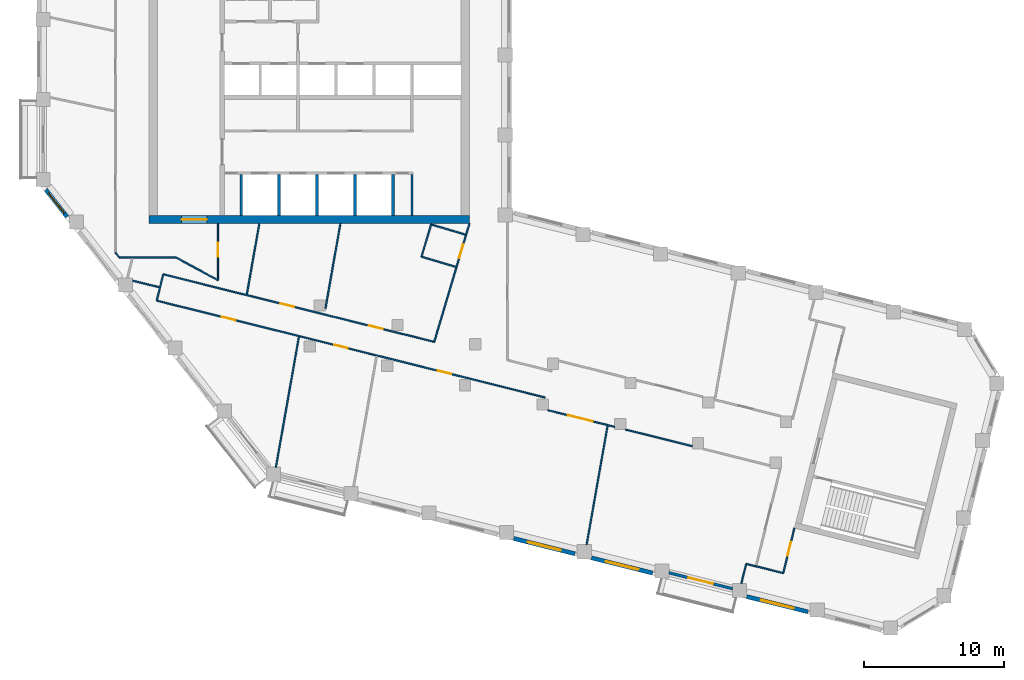
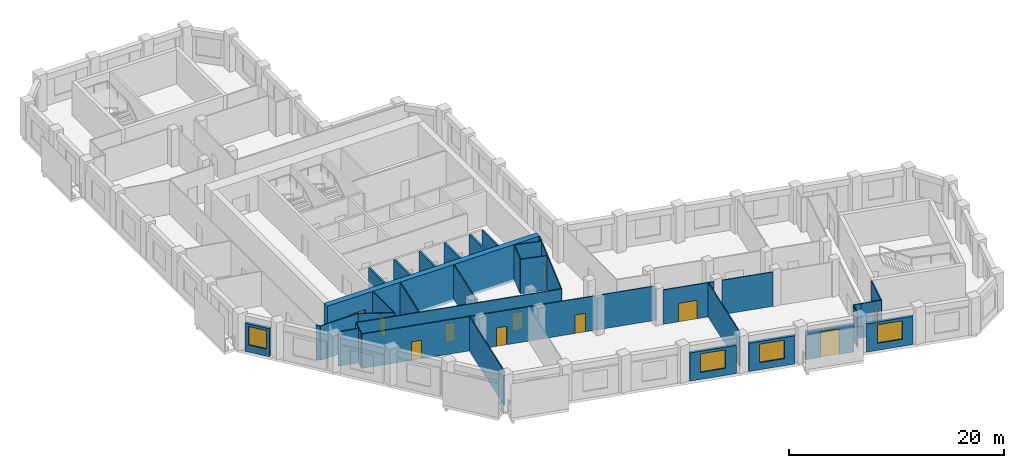
# One storey, part 3 of 9: 34 walls, 11 doors, 4 windows, 15 openings.
"""IFC4 building model written with IfcOpenShell, lengths in metres."""

from ifc_helpers import new_model, si_unit, direction, frame, frame_2d, origin, place, context, subcontext, project, spatial, rectangle, extrude, material, layer, layer_set, type_object, element, fill, save


model = new_model("IFC4")

# Units and contexts
model_context = context("Model", 3, precision=1e-05, world=origin(), true_north=direction((0.0, 1.0)))
body_context = subcontext(model_context, "Body", "Model", "MODEL_VIEW")
ifc_project = project(units=[si_unit("LENGTHUNIT", "METRE"), si_unit("AREAUNIT", "SQUARE_METRE"), si_unit("VOLUMEUNIT", "CUBIC_METRE"), si_unit("PLANEANGLEUNIT", "RADIAN"), si_unit("MASSUNIT", "GRAM", prefix="KILO")], contexts=[model_context])

# Site, building, storey
site_placement = place(None, origin())
site = spatial("IfcSite", under=ifc_project, at=site_placement, CompositionType="ELEMENT")
building_placement = place(site_placement, origin())
building = spatial("IfcBuilding", under=site, at=building_placement, Name="Meshkara Civic Tower", CompositionType="ELEMENT")
storey_placement = place(building_placement, frame((0.0, 0.0, 298.199951171875)))
storey = spatial("IfcBuildingStorey", under=building, at=storey_placement, Name="L68", CompositionType="ELEMENT", Elevation=298.199951171875)

# Wall
ifc_material_1 = material(Name="Blockwork", Category="masonry")
ifc_layer_1 = layer(ifc_material_1, 0.14990234375)
ifc_layer_set_1 = layer_set([ifc_layer_1], Name="Core partition 150")
wall_type_1 = type_object("IfcWallType", Name="Core partition 150", PredefinedType="PARTITIONING", material=ifc_layer_set_1)
wall_1_placement = place(storey_placement, frame((26.699951171875, 14.699951171875, 0.0), z_axis=(0.0, 0.0, 1.0), x_axis=(0.0, 1.0, 0.0)))
element("IfcWall", 1, at=wall_1_placement, inside=storey, type_object=wall_type_1, Name="L68-C024", PredefinedType="PARTITIONING", context=body_context, shape_type="SweptSolid", body=[
    extrude(rectangle(XDim=2.900146484375, YDim=0.14990234375, at=frame_2d((1.4501953125, 0.0))), origin(), (0.0, 0.0, 1.0), 3.900146484375),
])

# Wall, opening, door
ifc_material_2 = material(Name="Concrete C60", Category="concrete")
ifc_layer_2 = layer(ifc_material_2, 0.60009765625)
ifc_layer_set_2 = layer_set([ifc_layer_2], Name="Core ring wall 600 C60")
wall_type_2 = type_object("IfcWallType", Name="Core ring wall 600 C60", PredefinedType="SHEAR", material=ifc_layer_set_2)
wall_2_placement = place(storey_placement, frame((8.0, 14.39990234375, -0.300048828125), z_axis=(0.0, 0.0, 1.0), x_axis=(1.0, 0.0, 0.0)))
wall_2 = element("IfcWall", 2, at=wall_2_placement, inside=storey, type_object=wall_type_2, Name="L68-C001", PredefinedType="SHEAR", context=body_context, shape_type="SweptSolid", body=[
    extrude(rectangle(XDim=22.800048828125, YDim=0.60009765625, at=frame_2d((11.39990234375, 0.0))), origin(), (0.0, 0.0, 1.0), 4.2001953125),
])
opening_1_placement = place(wall_2_placement, frame((2.300048828125, 0.0, 0.300048828125)))
opening_1 = element("IfcOpeningElement", 3, at=opening_1_placement, cuts=wall_2, Name="Opening L68-K021", PredefinedType="OPENING", context=body_context, shape_type="SweptSolid", body=[
    extrude(rectangle(XDim=1.800048828125, YDim=2.10009765625, at=frame_2d((0.89990234375, 1.050048828125))), frame((0.0, 0.31005859375, 0.0), z_axis=(0.0, -1.0, 0.0), x_axis=(1.0, 0.0, 0.0)), (0.0, 0.0, 1.0), 0.6201171875),
])
ifc_material_3 = material(Name="Fire-rated door leaf in steel frame", Category="steel")
door_type_1 = type_object("IfcDoorType", Name="Core double door 1800 EI 60", OperationType="DOUBLE_DOOR_SINGLE_SWING", PredefinedType="DOOR", material=ifc_material_3)
door_1_placement = place(opening_1_placement, origin())
door_1 = element("IfcDoor", 4, at=door_1_placement, inside=storey, type_object=door_type_1, Name="L68-K021", OperationType="DOUBLE_DOOR_SINGLE_SWING", OverallHeight=2.10009765625, OverallWidth=1.800048828125, PredefinedType="DOOR", context=body_context, shape_type="SweptSolid", body=[
    extrude(rectangle(XDim=1.800048828125, YDim=2.10009765625, at=frame_2d((0.89990234375, 1.050048828125))), frame((0.0, 0.02490234375, 0.0), z_axis=(0.0, -1.0, 0.0), x_axis=(1.0, 0.0, 0.0)), (0.0, 0.0, 1.0), 0.050048828125),
])
fill(opening_1, door_1)

# Walls
ifc_material_4 = material(Name="Corridor wall 100")
ifc_layer_3 = layer(ifc_material_4, 0.10009765625)
ifc_layer_set_3 = layer_set([ifc_layer_3], Name="Corridor wall 100")
wall_type_3 = type_object("IfcWallType", Name="Corridor wall 100", PredefinedType="PARTITIONING", material=ifc_layer_set_3)
wall_3_placement = place(storey_placement, frame((5.60009765625, 12.04296875, 0.0), z_axis=(0.0, 0.0, 1.0), x_axis=(0.615415398102, -0.788202948344, 0.0)))
element("IfcWall", 5, at=wall_3_placement, inside=storey, type_object=wall_type_3, Name="L68-W004", PredefinedType="PARTITIONING", context=body_context, shape_type="SweptSolid", body=[
    extrude(rectangle(XDim=0.435302734375, YDim=0.10009765625, at=frame_2d((0.2177734375, 0.0))), origin(), (0.0, 0.0, 1.0), 3.900146484375),
])
wall_4_placement = place(storey_placement, frame((5.867919921875, 11.699951171875, 0.0), z_axis=(0.0, 0.0, 1.0), x_axis=(1.0, 0.0, 0.0)))
element("IfcWall", 6, at=wall_4_placement, inside=storey, type_object=wall_type_3, Name="L68-W006", PredefinedType="PARTITIONING", context=body_context, shape_type="SweptSolid", body=[
    extrude(rectangle(XDim=4.031982421875, YDim=0.10009765625, at=frame_2d((2.01611328125, 0.0))), origin(), (0.0, 0.0, 1.0), 3.900146484375),
])

# Wall, openings, doors
wall_5_placement = place(storey_placement, frame((8.534912109375, 8.6259765625, 0.0), z_axis=(0.0, 0.0, 1.0), x_axis=(0.970294986727, -0.241924861749, 0.0)))
wall_5 = element("IfcWall", 7, at=wall_5_placement, inside=storey, type_object=wall_type_3, Name="L68-W007", PredefinedType="PARTITIONING", context=body_context, shape_type="SweptSolid", body=[
    extrude(rectangle(XDim=28.500732421875, YDim=0.10009765625, at=frame_2d((14.25048828125, 0.0))), origin(), (0.0, 0.0, 1.0), 3.900146484375),
])
opening_2_placement = place(wall_5_placement, frame((13.02197265625, 0.0, 0.0)))
opening_2 = element("IfcOpeningElement", 8, at=opening_2_placement, cuts=wall_5, Name="Opening L68-D003", PredefinedType="OPENING", context=body_context, shape_type="SweptSolid", body=[
    extrude(rectangle(XDim=1.0, YDim=2.10009765625, at=frame_2d((0.5, 1.050048828125))), frame((0.0, 0.06005859375, 0.0), z_axis=(0.0, -1.0, 0.0), x_axis=(1.0, 0.0, 0.0)), (0.0, 0.0, 1.0), 0.1201171875),
])
opening_3_placement = place(wall_5_placement, frame((20.6220703125, 0.0, 0.0)))
opening_3 = element("IfcOpeningElement", 9, at=opening_3_placement, cuts=wall_5, Name="Opening L68-D004", PredefinedType="OPENING", context=body_context, shape_type="SweptSolid", body=[
    extrude(rectangle(XDim=1.0, YDim=2.10009765625, at=frame_2d((0.5, 1.050048828125))), frame((0.0, 0.06005859375, 0.0), z_axis=(0.0, -1.0, 0.0), x_axis=(1.0, 0.0, 0.0)), (0.0, 0.0, 1.0), 0.1201171875),
])
opening_4_placement = place(wall_5_placement, frame((4.780029296875, 0.0, 0.0)))
opening_4 = element("IfcOpeningElement", 10, at=opening_4_placement, cuts=wall_5, Name="Opening L68-D009", PredefinedType="OPENING", context=body_context, shape_type="SweptSolid", body=[
    extrude(rectangle(XDim=1.0, YDim=2.10009765625, at=frame_2d((0.5, 1.050048828125))), frame((0.0, 0.06005859375, 0.0), z_axis=(0.0, -1.0, 0.0), x_axis=(1.0, 0.0, 0.0)), (0.0, 0.0, 1.0), 0.1201171875),
])
ifc_material_5 = material(Name="Door 1000 x 2100")
door_type_2 = type_object("IfcDoorType", Name="Door 1000 x 2100", OperationType="SINGLE_SWING_LEFT", PredefinedType="DOOR", material=ifc_material_5)
door_2_placement = place(opening_2_placement, origin())
door_2 = element("IfcDoor", 11, at=door_2_placement, inside=storey, type_object=door_type_2, Name="L68-D003", OperationType="SINGLE_SWING_LEFT", OverallHeight=2.10009765625, OverallWidth=1.0, PredefinedType="DOOR", context=body_context, shape_type="SweptSolid", body=[
    extrude(rectangle(XDim=1.0, YDim=2.10009765625, at=frame_2d((0.5, 1.050048828125))), frame((0.0, 0.02490234375, 0.0), z_axis=(0.0, -1.0, 0.0), x_axis=(1.0, 0.0, 0.0)), (0.0, 0.0, 1.0), 0.050048828125),
])
fill(opening_2, door_2)
door_3_placement = place(opening_3_placement, origin())
door_3 = element("IfcDoor", 12, at=door_3_placement, inside=storey, type_object=door_type_2, Name="L68-D004", OperationType="SINGLE_SWING_RIGHT", OverallHeight=2.10009765625, OverallWidth=1.0, PredefinedType="DOOR", context=body_context, shape_type="SweptSolid", body=[
    extrude(rectangle(XDim=1.0, YDim=2.10009765625, at=frame_2d((0.5, 1.050048828125))), frame((0.0, 0.02490234375, 0.0), z_axis=(0.0, -1.0, 0.0), x_axis=(1.0, 0.0, 0.0)), (0.0, 0.0, 1.0), 0.050048828125),
])
fill(opening_3, door_3)
door_4_placement = place(opening_4_placement, origin())
door_4 = element("IfcDoor", 13, at=door_4_placement, inside=storey, type_object=door_type_2, Name="L68-D009", OperationType="SINGLE_SWING_LEFT", OverallHeight=2.10009765625, OverallWidth=1.0, PredefinedType="DOOR", context=body_context, shape_type="SweptSolid", body=[
    extrude(rectangle(XDim=1.0, YDim=2.10009765625, at=frame_2d((0.5, 1.050048828125))), frame((0.0, 0.02490234375, 0.0), z_axis=(0.0, -1.0, 0.0), x_axis=(1.0, 0.0, 0.0)), (0.0, 0.0, 1.0), 0.050048828125),
])
fill(opening_4, door_4)

wall_6_placement = place(storey_placement, frame((9.001953125, 10.4990234375, 0.0), z_axis=(0.0, 0.0, 1.0), x_axis=(0.970298340477, -0.241911410372, 0.0)))
wall_6 = element("IfcWall", 14, at=wall_6_placement, inside=storey, type_object=wall_type_3, Name="L68-W008", PredefinedType="PARTITIONING", context=body_context, shape_type="SweptSolid", body=[
    extrude(rectangle(XDim=19.879638671875, YDim=0.10009765625, at=frame_2d((9.93994140625, 0.0))), origin(), (0.0, 0.0, 1.0), 3.900146484375),
])
opening_5_placement = place(wall_6_placement, frame((8.596923828125, 0.0, 0.0)))
opening_5 = element("IfcOpeningElement", 15, at=opening_5_placement, cuts=wall_6, Name="Opening L68-D010", PredefinedType="OPENING", context=body_context, shape_type="SweptSolid", body=[
    extrude(rectangle(XDim=1.0, YDim=2.10009765625, at=frame_2d((0.5, 1.050048828125))), frame((0.0, 0.06005859375, 0.0), z_axis=(0.0, -1.0, 0.0), x_axis=(1.0, 0.0, 0.0)), (0.0, 0.0, 1.0), 0.1201171875),
])
opening_6_placement = place(wall_6_placement, frame((15.097900390625, 0.0, 0.0)))
opening_6 = element("IfcOpeningElement", 16, at=opening_6_placement, cuts=wall_6, Name="Opening L68-D011", PredefinedType="OPENING", context=body_context, shape_type="SweptSolid", body=[
    extrude(rectangle(XDim=1.0, YDim=2.10009765625, at=frame_2d((0.5, 1.050048828125))), frame((0.0, 0.06005859375, 0.0), z_axis=(0.0, -1.0, 0.0), x_axis=(1.0, 0.0, 0.0)), (0.0, 0.0, 1.0), 0.1201171875),
])
door_5_placement = place(opening_5_placement, origin())
door_5 = element("IfcDoor", 17, at=door_5_placement, inside=storey, type_object=door_type_2, Name="L68-D010", OperationType="SINGLE_SWING_RIGHT", OverallHeight=2.10009765625, OverallWidth=1.0, PredefinedType="DOOR", context=body_context, shape_type="SweptSolid", body=[
    extrude(rectangle(XDim=1.0, YDim=2.10009765625, at=frame_2d((0.5, 1.050048828125))), frame((0.0, 0.02490234375, 0.0), z_axis=(0.0, -1.0, 0.0), x_axis=(1.0, 0.0, 0.0)), (0.0, 0.0, 1.0), 0.050048828125),
])
fill(opening_5, door_5)
door_6_placement = place(opening_6_placement, origin())
door_6 = element("IfcDoor", 18, at=door_6_placement, inside=storey, type_object=door_type_2, Name="L68-D011", OperationType="SINGLE_SWING_LEFT", OverallHeight=2.10009765625, OverallWidth=1.0, PredefinedType="DOOR", context=body_context, shape_type="SweptSolid", body=[
    extrude(rectangle(XDim=1.0, YDim=2.10009765625, at=frame_2d((0.5, 1.050048828125))), frame((0.0, 0.02490234375, 0.0), z_axis=(0.0, -1.0, 0.0), x_axis=(1.0, 0.0, 0.0)), (0.0, 0.0, 1.0), 0.050048828125),
])
fill(opening_6, door_6)

# Walls
wall_7_placement = place(storey_placement, frame((9.001953125, 10.4990234375, 0.0), z_axis=(0.0, 0.0, 1.0), x_axis=(-0.241940418317, -0.970291107856, 0.0)))
element("IfcWall", 19, at=wall_7_placement, inside=storey, type_object=wall_type_3, Name="L68-W009", PredefinedType="PARTITIONING", context=body_context, shape_type="SweptSolid", body=[
    extrude(rectangle(XDim=1.930419921875, YDim=0.10009765625, at=frame_2d((0.96533203125, 0.0))), origin(), (0.0, 0.0, 1.0), 3.900146484375),
])
wall_8_placement = place(storey_placement, frame((9.89990234375, 11.699951171875, 0.0), z_axis=(0.0, 0.0, 1.0), x_axis=(0.87965147249, -0.475618846291, 0.0)))
element("IfcWall", 20, at=wall_8_placement, inside=storey, type_object=wall_type_3, Name="L68-W010", PredefinedType="PARTITIONING", context=body_context, shape_type="SweptSolid", body=[
    extrude(rectangle(XDim=3.410400390625, YDim=0.10009765625, at=frame_2d((1.705078125, 0.0))), origin(), (0.0, 0.0, 1.0), 3.900146484375),
])

# Wall, opening, door
wall_9_placement = place(storey_placement, frame((12.89990234375, 10.077880859375, 0.0), z_axis=(0.0, 0.0, 1.0), x_axis=(0.0, 1.0, 0.0)))
wall_9 = element("IfcWall", 21, at=wall_9_placement, inside=storey, type_object=wall_type_3, Name="L68-W015", PredefinedType="PARTITIONING", context=body_context, shape_type="SweptSolid", body=[
    extrude(rectangle(XDim=4.022216796875, YDim=0.10009765625, at=frame_2d((2.01123046875, 0.0))), origin(), (0.0, 0.0, 1.0), 3.900146484375),
])
opening_7_placement = place(wall_9_placement, frame((1.679931640625, 0.0, 0.0)))
opening_7 = element("IfcOpeningElement", 22, at=opening_7_placement, cuts=wall_9, Name="Opening L68-D014", PredefinedType="OPENING", context=body_context, shape_type="SweptSolid", body=[
    extrude(rectangle(XDim=1.0, YDim=2.10009765625, at=frame_2d((0.5, 1.050048828125))), frame((0.0, 0.06005859375, 0.0), z_axis=(0.0, -1.0, 0.0), x_axis=(1.0, 0.0, 0.0)), (0.0, 0.0, 1.0), 0.1201171875),
])
door_7_placement = place(opening_7_placement, origin())
door_7 = element("IfcDoor", 23, at=door_7_placement, inside=storey, type_object=door_type_2, Name="L68-D014", OperationType="SINGLE_SWING_LEFT", OverallHeight=2.10009765625, OverallWidth=1.0, PredefinedType="DOOR", context=body_context, shape_type="SweptSolid", body=[
    extrude(rectangle(XDim=1.0, YDim=2.10009765625, at=frame_2d((0.5, 1.050048828125))), frame((0.0, 0.02490234375, 0.0), z_axis=(0.0, -1.0, 0.0), x_axis=(1.0, 0.0, 0.0)), (0.0, 0.0, 1.0), 0.050048828125),
])
fill(opening_7, door_7)

wall_10_placement = place(storey_placement, frame((28.291015625, 5.68994140625, 0.0), z_axis=(0.0, 0.0, 1.0), x_axis=(0.28588265334, 0.958264633867, 0.0)))
wall_10 = element("IfcWall", 24, at=wall_10_placement, inside=storey, type_object=wall_type_3, Name="L68-W018", PredefinedType="PARTITIONING", context=body_context, shape_type="SweptSolid", body=[
    extrude(rectangle(XDim=8.7763671875, YDim=0.10009765625, at=frame_2d((4.38818359375, 0.0))), origin(), (0.0, 0.0, 1.0), 3.900146484375),
])
opening_8_placement = place(wall_10_placement, frame((6.22998046875, 0.0, 0.0)))
opening_8 = element("IfcOpeningElement", 25, at=opening_8_placement, cuts=wall_10, Name="Opening L68-D015", PredefinedType="OPENING", context=body_context, shape_type="SweptSolid", body=[
    extrude(rectangle(XDim=1.0, YDim=2.10009765625, at=frame_2d((0.5, 1.050048828125))), frame((0.0, 0.06005859375, 0.0), z_axis=(0.0, -1.0, 0.0), x_axis=(1.0, 0.0, 0.0)), (0.0, 0.0, 1.0), 0.1201171875),
])
door_8_placement = place(opening_8_placement, origin())
door_8 = element("IfcDoor", 26, at=door_8_placement, inside=storey, type_object=door_type_2, Name="L68-D015", OperationType="SINGLE_SWING_LEFT", OverallHeight=2.10009765625, OverallWidth=1.0, PredefinedType="DOOR", context=body_context, shape_type="SweptSolid", body=[
    extrude(rectangle(XDim=1.0, YDim=2.10009765625, at=frame_2d((0.5, 1.050048828125))), frame((0.0, 0.02490234375, 0.0), z_axis=(0.0, -1.0, 0.0), x_axis=(1.0, 0.0, 0.0)), (0.0, 0.0, 1.0), 0.050048828125),
])
fill(opening_8, door_8)

wall_11_placement = place(storey_placement, frame((36.3798828125, 0.822998046875, 0.0), z_axis=(0.0, 0.0, 1.0), x_axis=(0.970311839682, -0.241857259087, 0.0)))
wall_11 = element("IfcWall", 27, at=wall_11_placement, inside=storey, type_object=wall_type_3, Name="L68-W021", PredefinedType="PARTITIONING", context=body_context, shape_type="SweptSolid", body=[
    extrude(rectangle(XDim=4.911865234375, YDim=0.10009765625, at=frame_2d((2.4560546875, 0.0))), origin(), (0.0, 0.0, 1.0), 3.900146484375),
])
opening_9_placement = place(wall_11_placement, frame((1.47998046875, 0.0, 0.0)))
opening_9 = element("IfcOpeningElement", 28, at=opening_9_placement, cuts=wall_11, Name="Opening L68-D005", PredefinedType="OPENING", context=body_context, shape_type="SweptSolid", body=[
    extrude(rectangle(XDim=1.800048828125, YDim=2.10009765625, at=frame_2d((0.89990234375, 1.050048828125))), frame((0.0, 0.06005859375, 0.0), z_axis=(0.0, -1.0, 0.0), x_axis=(1.0, 0.0, 0.0)), (0.0, 0.0, 1.0), 0.1201171875),
])
ifc_material_6 = material(Name="Door pair 1800 x 2100")
door_type_3 = type_object("IfcDoorType", Name="Door pair 1800 x 2100", OperationType="SINGLE_SWING_LEFT", PredefinedType="DOOR", material=ifc_material_6)
door_9_placement = place(opening_9_placement, origin())
door_9 = element("IfcDoor", 29, at=door_9_placement, inside=storey, type_object=door_type_3, Name="L68-D005", OperationType="DOUBLE_DOOR_SINGLE_SWING", OverallHeight=2.10009765625, OverallWidth=1.800048828125, PredefinedType="DOOR", context=body_context, shape_type="SweptSolid", body=[
    extrude(rectangle(XDim=1.800048828125, YDim=2.10009765625, at=frame_2d((0.89990234375, 1.050048828125))), frame((0.0, 0.02490234375, 0.0), z_axis=(0.0, -1.0, 0.0), x_axis=(1.0, 0.0, 0.0)), (0.0, 0.0, 1.0), 0.050048828125),
])
fill(opening_9, door_9)

# Walls
wall_12_placement = place(storey_placement, frame((41.9130859375, -0.555908203125, 0.0), z_axis=(0.0, 0.0, 1.0), x_axis=(0.970285656006, -0.241962281665, 0.0)))
element("IfcWall", 30, at=wall_12_placement, inside=storey, type_object=wall_type_3, Name="L68-W023", PredefinedType="PARTITIONING", context=body_context, shape_type="SweptSolid", body=[
    extrude(rectangle(XDim=4.909912109375, YDim=0.10009765625, at=frame_2d((2.455078125, 0.0))), origin(), (0.0, 0.0, 1.0), 3.900146484375),
])
wall_13_placement = place(storey_placement, frame((51.200927734375, -10.2919921875, 0.0), z_axis=(0.0, 0.0, 1.0), x_axis=(0.970307382734, -0.241875139301, 0.0)))
element("IfcWall", 31, at=wall_13_placement, inside=storey, type_object=wall_type_3, Name="L68-W027", PredefinedType="PARTITIONING", context=body_context, shape_type="SweptSolid", body=[
    extrude(rectangle(XDim=2.00048828125, YDim=0.10009765625, at=frame_2d((1.000244140625, 0.0))), origin(), (0.0, 0.0, 1.0), 3.900146484375),
])

# Wall, opening, door
wall_14_placement = place(storey_placement, frame((53.14208984375, -10.77587890625, 0.0), z_axis=(0.0, 0.0, 1.0), x_axis=(0.241786986316, 0.970329352977, 0.0)))
wall_14 = element("IfcWall", 32, at=wall_14_placement, inside=storey, type_object=wall_type_3, Name="L68-W030", PredefinedType="PARTITIONING", context=body_context, shape_type="SweptSolid", body=[
    extrude(rectangle(XDim=3.2998046875, YDim=0.10009765625, at=frame_2d((1.64990234375, 0.0))), origin(), (0.0, 0.0, 1.0), 3.900146484375),
])
opening_10_placement = place(wall_14_placement, frame((1.280029296875, 0.0, 0.0)))
opening_10 = element("IfcOpeningElement", 33, at=opening_10_placement, cuts=wall_14, Name="Opening L68-D002", PredefinedType="OPENING", context=body_context, shape_type="SweptSolid", body=[
    extrude(rectangle(XDim=1.0, YDim=2.10009765625, at=frame_2d((0.5, 1.050048828125))), frame((0.0, 0.06005859375, 0.0), z_axis=(0.0, -1.0, 0.0), x_axis=(1.0, 0.0, 0.0)), (0.0, 0.0, 1.0), 0.1201171875),
])
door_10_placement = place(opening_10_placement, origin())
door_10 = element("IfcDoor", 34, at=door_10_placement, inside=storey, type_object=door_type_2, Name="L68-D002", OperationType="SINGLE_SWING_LEFT", OverallHeight=2.10009765625, OverallWidth=1.0, PredefinedType="DOOR", context=body_context, shape_type="SweptSolid", body=[
    extrude(rectangle(XDim=1.0, YDim=2.10009765625, at=frame_2d((0.5, 1.050048828125))), frame((0.0, 0.02490234375, 0.0), z_axis=(0.0, -1.0, 0.0), x_axis=(1.0, 0.0, 0.0)), (0.0, 0.0, 1.0), 0.050048828125),
])
fill(opening_10, door_10)

# Wall, opening, window
ifc_material_7 = material(Name="Insulated infill panel with bronze anodised aluminium cladding", Category="aluminium")
ifc_layer_4 = layer(ifc_material_7, 0.300048828125)
ifc_layer_set_4 = layer_set([ifc_layer_4], Name="EXTERNAL INFILL WALL 300")
wall_type_4 = type_object("IfcWallType", Name="EXTERNAL INFILL WALL 300", PredefinedType="SOLIDWALL", material=ifc_layer_set_4)
wall_15_placement = place(storey_placement, frame((0.64599609375, 16.51708984375, 0.0), z_axis=(0.0, 0.0, 1.0), x_axis=(0.615610986717, -0.788050197026, 0.0)))
wall_15 = element("IfcWall", 35, at=wall_15_placement, inside=storey, type_object=wall_type_4, Name="External wall", PredefinedType="SOLIDWALL", context=body_context, shape_type="SweptSolid", body=[
    extrude(rectangle(XDim=2.4365234375, YDim=0.300048828125, at=frame_2d((1.21826171875, 0.0))), origin(), (0.0, 0.0, 1.0), 3.199951171875),
])
opening_11_placement = place(wall_15_placement, frame((0.318115234375, 0.0, 0.800048828125)))
opening_11 = element("IfcOpeningElement", 36, at=opening_11_placement, cuts=wall_15, Name="Opening W9", PredefinedType="OPENING", context=body_context, shape_type="SweptSolid", body=[
    extrude(rectangle(XDim=1.800048828125, YDim=2.10009765625, at=frame_2d((0.89990234375, 1.050048828125))), frame((0.0, 0.159912109375, 0.0), z_axis=(0.0, -1.0, 0.0), x_axis=(1.0, 0.0, 0.0)), (0.0, 0.0, 1.0), 0.320068359375),
])
ifc_material_8 = material(Name="Tinted double glazing", Category="glass")
window_type_1 = type_object("IfcWindowType", Name="WINDOW 1800x2100", PartitioningType="DOUBLE_PANEL_VERTICAL", PredefinedType="WINDOW", material=ifc_material_8)
window_1_placement = place(opening_11_placement, origin())
window_1 = element("IfcWindow", 37, at=window_1_placement, inside=storey, type_object=window_type_1, Name="Window", OverallHeight=2.10009765625, OverallWidth=1.800048828125, PartitioningType="DOUBLE_PANEL_VERTICAL", PredefinedType="WINDOW", context=body_context, shape_type="SweptSolid", body=[
    extrude(rectangle(XDim=1.800048828125, YDim=2.10009765625, at=frame_2d((0.89990234375, 1.050048828125))), frame((0.0, 0.030029296875, 0.0), z_axis=(0.0, -1.0, 0.0), x_axis=(1.0, 0.0, 0.0)), (0.0, 0.0, 1.0), 0.06005859375),
])
fill(opening_11, window_1)

wall_16_placement = place(storey_placement, frame((33.958984375, -8.31201171875, 0.0), z_axis=(0.0, 0.0, 1.0), x_axis=(0.970276766004, -0.241997928406, 0.0)))
wall_16 = element("IfcWall", 38, at=wall_16_placement, inside=storey, type_object=wall_type_4, Name="External wall", PredefinedType="SOLIDWALL", context=body_context, shape_type="SweptSolid", body=[
    extrude(rectangle(XDim=4.4873046875, YDim=0.300048828125, at=frame_2d((2.24365234375, 0.0))), origin(), (0.0, 0.0, 1.0), 3.199951171875),
])
opening_12_placement = place(wall_16_placement, frame((1.0439453125, 0.0, 0.800048828125)))
opening_12 = element("IfcOpeningElement", 39, at=opening_12_placement, cuts=wall_16, Name="Opening W7", PredefinedType="OPENING", context=body_context, shape_type="SweptSolid", body=[
    extrude(rectangle(XDim=2.39990234375, YDim=2.10009765625, at=frame_2d((1.199951171875, 1.050048828125))), frame((0.0, 0.159912109375, 0.0), z_axis=(0.0, -1.0, 0.0), x_axis=(1.0, 0.0, 0.0)), (0.0, 0.0, 1.0), 0.320068359375),
])
ifc_material_9 = material(Name="Tinted double glazing", Category="glass")
window_type_2 = type_object("IfcWindowType", Name="WINDOW 2400x2100", PartitioningType="DOUBLE_PANEL_VERTICAL", PredefinedType="WINDOW", material=ifc_material_9)
window_2_placement = place(opening_12_placement, origin())
window_2 = element("IfcWindow", 40, at=window_2_placement, inside=storey, type_object=window_type_2, Name="Window", OverallHeight=2.10009765625, OverallWidth=2.39990234375, PartitioningType="DOUBLE_PANEL_VERTICAL", PredefinedType="WINDOW", context=body_context, shape_type="SweptSolid", body=[
    extrude(rectangle(XDim=2.39990234375, YDim=2.10009765625, at=frame_2d((1.199951171875, 1.050048828125))), frame((0.0, 0.030029296875, 0.0), z_axis=(0.0, -1.0, 0.0), x_axis=(1.0, 0.0, 0.0)), (0.0, 0.0, 1.0), 0.06005859375),
])
fill(opening_12, window_2)

wall_17_placement = place(storey_placement, frame((39.489990234375, -9.69189453125, 0.0), z_axis=(0.0, 0.0, 1.0), x_axis=(0.970302346682, -0.241895341054, 0.0)))
wall_17 = element("IfcWall", 41, at=wall_17_placement, inside=storey, type_object=wall_type_4, Name="External wall", PredefinedType="SOLIDWALL", context=body_context, shape_type="SweptSolid", body=[
    extrude(rectangle(XDim=4.486328125, YDim=0.300048828125, at=frame_2d((2.2431640625, 0.0))), origin(), (0.0, 0.0, 1.0), 3.199951171875),
])
opening_13_placement = place(wall_17_placement, frame((1.0439453125, 0.0, 0.800048828125)))
opening_13 = element("IfcOpeningElement", 42, at=opening_13_placement, cuts=wall_17, Name="Opening W7", PredefinedType="OPENING", context=body_context, shape_type="SweptSolid", body=[
    extrude(rectangle(XDim=2.39990234375, YDim=2.10009765625, at=frame_2d((1.199951171875, 1.050048828125))), frame((0.0, 0.159912109375, 0.0), z_axis=(0.0, -1.0, 0.0), x_axis=(1.0, 0.0, 0.0)), (0.0, 0.0, 1.0), 0.320068359375),
])
window_3_placement = place(opening_13_placement, origin())
window_3 = element("IfcWindow", 43, at=window_3_placement, inside=storey, type_object=window_type_2, Name="Window", OverallHeight=2.10009765625, OverallWidth=2.39990234375, PartitioningType="DOUBLE_PANEL_VERTICAL", PredefinedType="WINDOW", context=body_context, shape_type="SweptSolid", body=[
    extrude(rectangle(XDim=2.39990234375, YDim=2.10009765625, at=frame_2d((1.199951171875, 1.050048828125))), frame((0.0, 0.030029296875, 0.0), z_axis=(0.0, -1.0, 0.0), x_axis=(1.0, 0.0, 0.0)), (0.0, 0.0, 1.0), 0.06005859375),
])
fill(opening_13, window_3)

wall_18_placement = place(storey_placement, frame((50.551025390625, -12.448974609375, 0.0), z_axis=(0.0, 0.0, 1.0), x_axis=(0.970276766004, -0.241997928406, 0.0)))
wall_18 = element("IfcWall", 44, at=wall_18_placement, inside=storey, type_object=wall_type_4, Name="External wall", PredefinedType="SOLIDWALL", context=body_context, shape_type="SweptSolid", body=[
    extrude(rectangle(XDim=4.4873046875, YDim=0.300048828125, at=frame_2d((2.24365234375, 0.0))), origin(), (0.0, 0.0, 1.0), 3.199951171875),
])
opening_14_placement = place(wall_18_placement, frame((1.0439453125, 0.0, 0.800048828125)))
opening_14 = element("IfcOpeningElement", 45, at=opening_14_placement, cuts=wall_18, Name="Opening W7", PredefinedType="OPENING", context=body_context, shape_type="SweptSolid", body=[
    extrude(rectangle(XDim=2.39990234375, YDim=2.10009765625, at=frame_2d((1.199951171875, 1.050048828125))), frame((0.0, 0.159912109375, 0.0), z_axis=(0.0, -1.0, 0.0), x_axis=(1.0, 0.0, 0.0)), (0.0, 0.0, 1.0), 0.320068359375),
])
window_4_placement = place(opening_14_placement, origin())
window_4 = element("IfcWindow", 46, at=window_4_placement, inside=storey, type_object=window_type_2, Name="Window", OverallHeight=2.10009765625, OverallWidth=2.39990234375, PartitioningType="DOUBLE_PANEL_VERTICAL", PredefinedType="WINDOW", context=body_context, shape_type="SweptSolid", body=[
    extrude(rectangle(XDim=2.39990234375, YDim=2.10009765625, at=frame_2d((1.199951171875, 1.050048828125))), frame((0.0, 0.030029296875, 0.0), z_axis=(0.0, -1.0, 0.0), x_axis=(1.0, 0.0, 0.0)), (0.0, 0.0, 1.0), 0.06005859375),
])
fill(opening_14, window_4)

# Wall, opening, door
ifc_material_10 = material(Name="Insulated infill panel with bronze anodised aluminium cladding", Category="aluminium")
ifc_layer_5 = layer(ifc_material_10, 0.199951171875)
ifc_layer_set_5 = layer_set([ifc_layer_5], Name="LOGGIA BACK WALL 200")
wall_type_5 = type_object("IfcWallType", Name="LOGGIA BACK WALL 200", PredefinedType="SOLIDWALL", material=ifc_layer_set_5)
wall_19_placement = place(storey_placement, frame((45.00390625, -10.757080078125, 0.0), z_axis=(0.0, 0.0, 1.0), x_axis=(0.970286870015, -0.241957413354, 0.0)))
wall_19 = element("IfcWall", 47, at=wall_19_placement, inside=storey, type_object=wall_type_5, Name="Loggia wall", PredefinedType="SOLIDWALL", context=body_context, shape_type="SweptSolid", body=[
    extrude(rectangle(XDim=4.669677734375, YDim=0.199951171875, at=frame_2d((2.3349609375, 0.0))), origin(), (0.0, 0.0, 1.0), 3.199951171875),
])
opening_15_placement = place(wall_19_placement, frame((1.43408203125, 0.0, 0.0)))
opening_15 = element("IfcOpeningElement", 48, at=opening_15_placement, cuts=wall_19, Name="Opening L68-L005", PredefinedType="OPENING", context=body_context, shape_type="SweptSolid", body=[
    extrude(rectangle(XDim=1.800048828125, YDim=2.89990234375, at=frame_2d((0.89990234375, 1.449951171875))), frame((0.0, 0.10986328125, 0.0), z_axis=(0.0, -1.0, 0.0), x_axis=(1.0, 0.0, 0.0)), (0.0, 0.0, 1.0), 0.219970703125),
])
ifc_material_11 = material(Name="Tinted double glazing", Category="glass")
door_type_4 = type_object("IfcDoorType", Name="LOGGIA DOOR 1800x2900", OperationType="DOUBLE_DOOR_SINGLE_SWING", PredefinedType="DOOR", material=ifc_material_11)
door_11_placement = place(opening_15_placement, origin())
door_11 = element("IfcDoor", 49, at=door_11_placement, inside=storey, type_object=door_type_4, Name="L68-L005", OperationType="DOUBLE_DOOR_SINGLE_SWING", OverallHeight=2.89990234375, OverallWidth=1.800048828125, PredefinedType="DOOR", context=body_context, shape_type="SweptSolid", body=[
    extrude(rectangle(XDim=1.800048828125, YDim=2.89990234375, at=frame_2d((0.89990234375, 1.449951171875))), frame((0.0, 0.02490234375, 0.0), z_axis=(0.0, -1.0, 0.0), x_axis=(1.0, 0.0, 0.0)), (0.0, 0.0, 1.0), 0.050048828125),
])
fill(opening_15, door_11)

# Walls
ifc_material_12 = material(Name="Partition 100")
ifc_layer_6 = layer(ifc_material_12, 0.10009765625)
ifc_layer_set_6 = layer_set([ifc_layer_6], Name="Partition 100")
wall_type_6 = type_object("IfcWallType", Name="Partition 100", PredefinedType="PARTITIONING", material=ifc_layer_set_6)
wall_20_placement = place(storey_placement, frame((8.719970703125, 9.574951171875, 0.0), z_axis=(0.0, 0.0, 1.0), x_axis=(-0.970274576003, 0.242006708918, 0.0)))
element("IfcWall", 50, at=wall_20_placement, inside=storey, type_object=wall_type_6, Name="L68-W040", PredefinedType="PARTITIONING", context=body_context, shape_type="SweptSolid", body=[
    extrude(rectangle(XDim=1.955078125, YDim=0.10009765625, at=frame_2d((0.9775390625, 0.0))), origin(), (0.0, 0.0, 1.0), 3.900146484375),
])
wall_21_placement = place(storey_placement, frame((14.950927734375, 9.071044921875, 0.0), z_axis=(0.0, 0.0, 1.0), x_axis=(0.173687149785, 0.984800880381, 0.0)))
element("IfcWall", 51, at=wall_21_placement, inside=storey, type_object=wall_type_6, Name="L68-W041", PredefinedType="PARTITIONING", context=body_context, shape_type="SweptSolid", body=[
    extrude(rectangle(XDim=5.106689453125, YDim=0.10009765625, at=frame_2d((2.55322265625, 0.0))), origin(), (0.0, 0.0, 1.0), 3.900146484375),
])
wall_22_placement = place(storey_placement, frame((17.02099609375, -3.238037109375, 0.0), z_axis=(0.0, 0.0, 1.0), x_axis=(0.173621363154, 0.984812480758, 0.0)))
element("IfcWall", 52, at=wall_22_placement, inside=storey, type_object=wall_type_6, Name="L68-W042", PredefinedType="PARTITIONING", context=body_context, shape_type="SweptSolid", body=[
    extrude(rectangle(XDim=9.428466796875, YDim=0.10009765625, at=frame_2d((4.71435546875, 0.0))), origin(), (0.0, 0.0, 1.0), 3.900146484375),
])
wall_23_placement = place(storey_placement, frame((20.549072265625, 8.070068359375, 0.0), z_axis=(0.0, 0.0, 1.0), x_axis=(0.173605636367, 0.984815253244, 0.0)))
element("IfcWall", 53, at=wall_23_placement, inside=storey, type_object=wall_type_6, Name="L68-W044", PredefinedType="PARTITIONING", context=body_context, shape_type="SweptSolid", body=[
    extrude(rectangle(XDim=6.123046875, YDim=0.10009765625, at=frame_2d((3.0615234375, 0.0))), origin(), (0.0, 0.0, 1.0), 3.900146484375),
])
wall_24_placement = place(storey_placement, frame((27.385986328125, 11.751953125, 0.0), z_axis=(0.0, 0.0, 1.0), x_axis=(0.285826425332, 0.958281406781, 0.0)))
element("IfcWall", 54, at=wall_24_placement, inside=storey, type_object=wall_type_6, Name="L68-W047", PredefinedType="PARTITIONING", context=body_context, shape_type="SweptSolid", body=[
    extrude(rectangle(XDim=2.400146484375, YDim=0.10009765625, at=frame_2d((1.2001953125, 0.0))), origin(), (0.0, 0.0, 1.0), 3.900146484375),
])
for number, where, z_axis, x_axis, name in (
    (55, (28.072021484375, 14.052001953125, 0.0), (0.0, 0.0, 1.0), (0.95828086131, -0.285828254108, 0.0), "L68-W048"),
    (56, (29.830078125, 11.02294921875, 0.0), (0.0, 0.0, 1.0), (-0.95828086131, 0.285828254108, 0.0), "L68-W049"),
):
    element("IfcWall", number, at=place(storey_placement, frame(where, z_axis=z_axis, x_axis=x_axis)), inside=storey, type_object=wall_type_6, Name=name, PredefinedType="PARTITIONING", context=body_context, shape_type="SweptSolid", body=[
        extrude(rectangle(XDim=2.550537109375, YDim=0.10009765625, at=frame_2d((1.275390625, 0.0))), origin(), (0.0, 0.0, 1.0), 3.900146484375),
    ])
wall_25_placement = place(storey_placement, frame((39.14404296875, -8.75390625, 0.0), z_axis=(0.0, 0.0, 1.0), x_axis=(0.173654024649, 0.984806722014, 0.0)))
element("IfcWall", 57, at=wall_25_placement, inside=storey, type_object=wall_type_6, Name="L68-W050", PredefinedType="PARTITIONING", context=body_context, shape_type="SweptSolid", body=[
    extrude(rectangle(XDim=8.591552734375, YDim=0.10009765625, at=frame_2d((4.2958984375, 0.0))), origin(), (0.0, 0.0, 1.0), 3.900146484375),
])
wall_26_placement = place(storey_placement, frame((50.159912109375, -11.511962890625, 0.0), z_axis=(0.0, 0.0, 1.0), x_axis=(0.241815333826, 0.970322288895, 0.0)))
element("IfcWall", 58, at=wall_26_placement, inside=storey, type_object=wall_type_6, Name="L68-W052", PredefinedType="PARTITIONING", context=body_context, shape_type="SweptSolid", body=[
    extrude(rectangle(XDim=1.435791015625, YDim=0.10009765625, at=frame_2d((0.7177734375, 0.0))), origin(), (0.0, 0.0, 1.0), 3.900146484375),
])
wall_27_placement = place(storey_placement, frame((50.507080078125, -10.118896484375, 0.0), z_axis=(0.0, 0.0, 1.0), x_axis=(0.970282083048, -0.241976609029, 0.0)))
element("IfcWall", 59, at=wall_27_placement, inside=storey, type_object=wall_type_6, Name="L68-W053", PredefinedType="PARTITIONING", context=body_context, shape_type="SweptSolid", body=[
    extrude(rectangle(XDim=0.719482421875, YDim=0.10009765625, at=frame_2d((0.35986328125, 0.0))), origin(), (0.0, 0.0, 1.0), 3.900146484375),
])
ifc_material_13 = material(Name="Concrete C40/50", Category="concrete")
ifc_layer_7 = layer(ifc_material_13, 0.199951171875)
ifc_layer_set_7 = layer_set([ifc_layer_7], Name="Shaft wall 200 C40/50")
wall_type_7 = type_object("IfcWallType", Name="Shaft wall 200 C40/50", PredefinedType="SOLIDWALL", material=ifc_layer_set_7)
for number, where, z_axis, x_axis, name in (
    (60, (14.550048828125, 14.699951171875, 0.0), (0.0, 0.0, 1.0), (0.0, 1.0, 0.0), "L68-C012"),
    (61, (17.25, 14.699951171875, 0.0), (0.0, 0.0, 1.0), (0.0, 1.0, 0.0), "L68-C015"),
    (62, (19.949951171875, 14.699951171875, 0.0), (0.0, 0.0, 1.0), (0.0, 1.0, 0.0), "L68-C017"),
    (63, (22.64990234375, 14.699951171875, 0.0), (0.0, 0.0, 1.0), (0.0, 1.0, 0.0), "L68-C021"),
    (64, (25.35009765625, 14.699951171875, 0.0), (0.0, 0.0, 1.0), (0.0, 1.0, 0.0), "L68-C023"),
):
    element("IfcWall", number, at=place(storey_placement, frame(where, z_axis=z_axis, x_axis=x_axis)), inside=storey, type_object=wall_type_7, Name=name, PredefinedType="SOLIDWALL", context=body_context, shape_type="SweptSolid", body=[
        extrude(rectangle(XDim=2.900146484375, YDim=0.199951171875, at=frame_2d((1.4501953125, 0.0))), origin(), (0.0, 0.0, 1.0), 3.900146484375),
    ])

save(model, "model.ifc")
